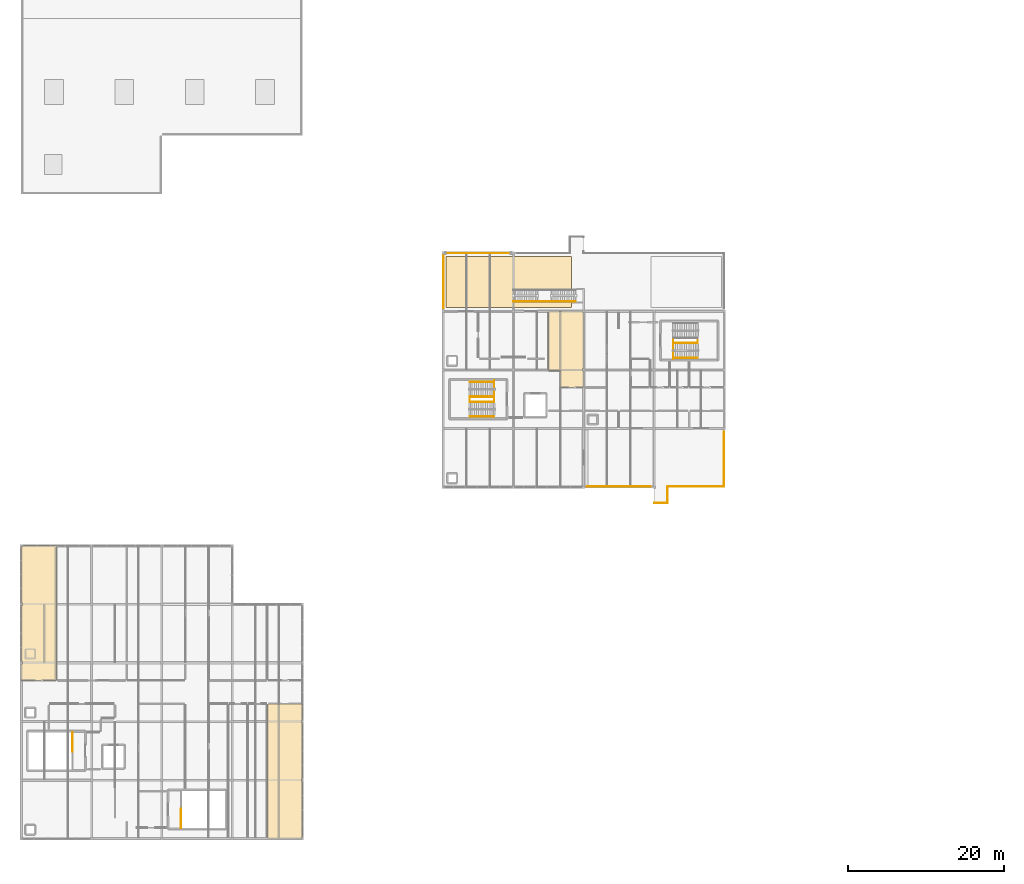
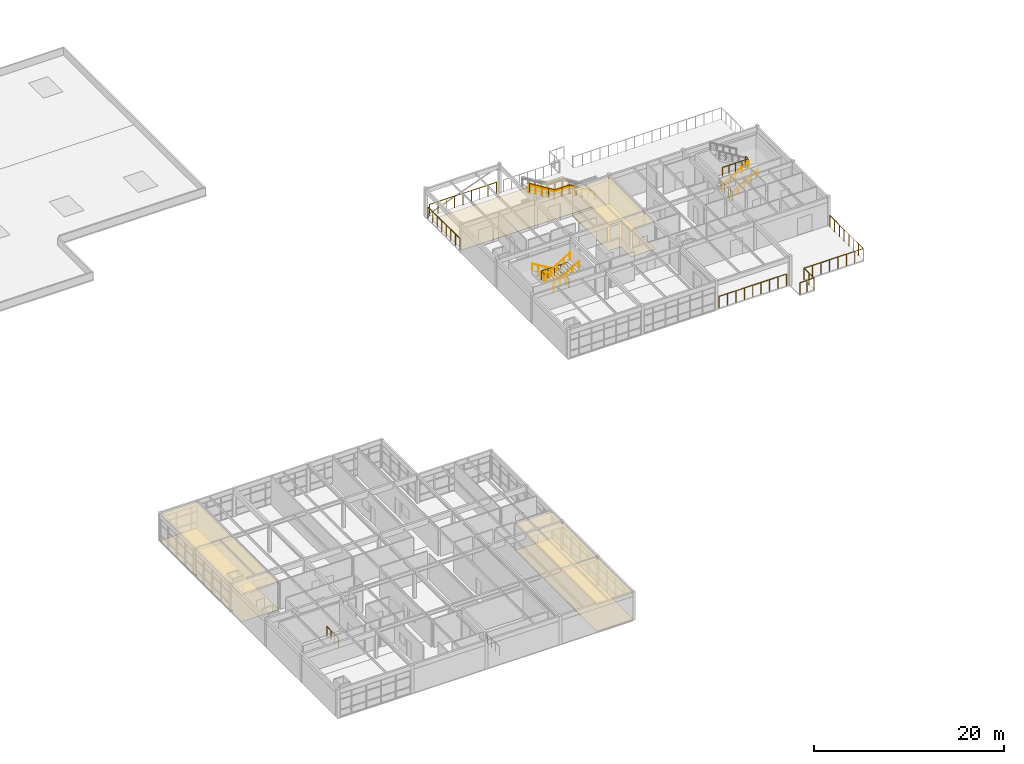
# One storey, part 23 of 24: 18 railings, 7 coverings.
"""IFC4 building model written with IfcOpenShell, lengths in metres."""

from ifc_helpers import new_model, si_unit, direction, frame, origin, origin_2d, place, context, subcontext, project, spatial, polyline, circle, outline, extrude, material, layer, layer_set, type_object, element, save


model = new_model("IFC4")

# Units and contexts
model_context = context("Model", 3, precision=1e-05, world=origin(), true_north=direction((0.0, 1.0)))
body_context = subcontext(model_context, "Body", "Model", "MODEL_VIEW")
ifc_project = project(units=[si_unit("LENGTHUNIT", "METRE"), si_unit("AREAUNIT", "SQUARE_METRE"), si_unit("VOLUMEUNIT", "CUBIC_METRE"), si_unit("PLANEANGLEUNIT", "RADIAN"), si_unit("MASSUNIT", "GRAM", prefix="KILO")], contexts=[model_context])

# Site, building, storey
site_placement = place(None, origin())
site = spatial("IfcSite", under=ifc_project, at=site_placement, CompositionType="ELEMENT")
building_placement = place(site_placement, origin())
building = spatial("IfcBuilding", under=site, at=building_placement, Name="Marnridge Secondary College", CompositionType="ELEMENT")
storey_placement = place(building_placement, frame((0.0, 0.0, 16.10009765625)))
storey = spatial("IfcBuildingStorey", under=building, at=storey_placement, Name="L04", CompositionType="ELEMENT", Elevation=16.10009765625)

# Coverings
ifc_material_1 = material(Name="Perforated acoustic mineral-fibre ceiling tile", Category="gypsum")
ifc_layer_1 = layer(ifc_material_1, 0.02490234375)
ifc_layer_set_1 = layer_set([ifc_layer_1], Name="CV-CEIL-AC")
covering_type_1 = type_object("IfcCoveringType", Name="CV-CEIL-AC", PredefinedType="CEILING", material=ifc_layer_set_1)
covering_1_placement = place(storey_placement, frame((0.0, 0.0, 3.31982421875)))
element("IfcCovering", 1, at=covering_1_placement, inside=storey, type_object=covering_type_1, Name="Acoustic ceiling CVC-006", PredefinedType="CEILING", context=body_context, shape_type="SweptSolid", body=[
    extrude(outline(polyline([(69.001953125, 59.89990234375), (69.001953125, 59.900146484375), (69.001953125, 59.900390625), (69.001953125, 59.900634765625), (69.001708984375, 59.90087890625), (69.001708984375, 59.90087890625), (69.001708984375, 59.901123046875), (69.00146484375, 59.9013671875), (69.00146484375, 59.9013671875), (69.001220703125, 59.901611328125), (69.001220703125, 59.901611328125), (69.0009765625, 59.90185546875), (69.000732421875, 59.90185546875), (69.00048828125, 59.90185546875), (69.00048828125, 59.902099609375), (69.000244140625, 59.902099609375), (69.0, 59.902099609375), (67.501953125, 59.902099609375), (67.501953125, 67.498046875), (71.842529296875, 67.498046875), (71.842529296875, 67.342529296875), (71.998046875, 67.342529296875), (71.998046875, 60.157470703125), (71.842529296875, 60.157470703125), (71.842529296875, 59.842529296875), (71.998046875, 59.842529296875), (71.998046875, 57.751953125), (69.001953125, 57.751953125), (69.001953125, 59.89990234375)])), origin(), (0.0, 0.0, 1.0), 0.025146484375),
])
covering_2_placement = place(storey_placement, frame((0.0, 0.0, 3.35986328125)))
element("IfcCovering", 2, at=covering_2_placement, inside=storey, type_object=covering_type_1, Name="Acoustic ceiling CVC-007", PredefinedType="CEILING", context=body_context, shape_type="SweptSolid", body=[
    extrude(outline(polyline([(35.998046875, 17.248046875), (35.998046875, 15.157470703125), (35.842529296875, 15.157470703125), (35.842529296875, 14.842529296875), (35.998046875, 14.842529296875), (35.998046875, 7.657470703125), (35.842529296875, 7.657470703125), (35.842529296875, 7.342529296875), (35.998046875, 7.342529296875), (35.998046875, 0.157470703125), (35.842529296875, 0.157470703125), (35.842529296875, 0.001953125), (31.501953125, 0.001953125), (31.501953125, 17.248046875), (35.998046875, 17.248046875)])), origin(), (0.0, 0.0, 1.0), 0.025146484375),
])
covering_3_placement = place(storey_placement, frame((0.0, 0.0, 3.35986328125)))
element("IfcCovering", 3, at=covering_3_placement, inside=storey, type_object=covering_type_1, Name="Acoustic ceiling CVC-008", PredefinedType="CEILING", context=body_context, shape_type="SweptSolid", body=[
    extrude(outline(polyline([(0.157470703125, 22.342529296875), (0.157470703125, 22.657470703125), (0.001953125, 22.657470703125), (0.001953125, 29.842529296875), (0.157470703125, 29.842529296875), (0.157470703125, 30.157470703125), (0.001953125, 30.157470703125), (0.001953125, 37.342529296875), (0.157470703125, 37.342529296875), (0.157470703125, 37.498046875), (4.498046875, 37.498046875), (4.498046875, 20.251953125), (0.001953125, 20.251953125), (0.001953125, 22.342529296875), (0.157470703125, 22.342529296875)])), origin(), (0.0, 0.0, 1.0), 0.025146484375),
])
ifc_material_2 = material(Name="Charred jarrah acoustic soffit cladding", Category="wood")
ifc_layer_2 = layer(ifc_material_2, 0.034912109375)
ifc_layer_set_2 = layer_set([ifc_layer_2], Name="CV-CLAD-TIM")
covering_type_2 = type_object("IfcCoveringType", Name="CV-CLAD-TIM", PredefinedType="CLADDING", material=ifc_layer_set_2)
covering_4_placement = place(storey_placement, frame((0.0, 0.0, -0.195068359375)))
element("IfcCovering", 4, at=covering_4_placement, inside=storey, type_object=covering_type_2, Name="Timber soffit cladding CVL-05", PredefinedType="CLADDING", context=body_context, shape_type="SweptSolid", body=[
    extrude(outline(polyline([(54.39990234375, 68.0), (70.39990234375, 68.0), (70.39990234375, 74.5), (54.39990234375, 74.5), (54.39990234375, 68.0)])), origin(), (0.0, 0.0, 1.0), 0.034912109375),
])
ifc_material_3 = material(Name="Acoustic natural linoleum classroom flooring", Category="wood")
ifc_layer_3 = layer(ifc_material_3, 0.011962890625)
ifc_layer_set_3 = layer_set([ifc_layer_3], Name="CV-FLR-LINO")
covering_type_3 = type_object("IfcCoveringType", Name="CV-FLR-LINO", PredefinedType="FLOORING", material=ifc_layer_set_3)
covering_5_placement = place(storey_placement, origin())
element("IfcCovering", 5, at=covering_5_placement, inside=storey, type_object=covering_type_3, Name="Linoleum flooring CVF-006", PredefinedType="FLOORING", context=body_context, shape_type="SweptSolid", body=[
    extrude(outline(polyline([(69.001953125, 59.89990234375), (69.001953125, 59.900146484375), (69.001953125, 59.900390625), (69.001953125, 59.900634765625), (69.001708984375, 59.90087890625), (69.001708984375, 59.90087890625), (69.001708984375, 59.901123046875), (69.00146484375, 59.9013671875), (69.00146484375, 59.9013671875), (69.001220703125, 59.901611328125), (69.001220703125, 59.901611328125), (69.0009765625, 59.90185546875), (69.000732421875, 59.90185546875), (69.00048828125, 59.90185546875), (69.00048828125, 59.902099609375), (69.000244140625, 59.902099609375), (69.0, 59.902099609375), (67.501953125, 59.902099609375), (67.501953125, 67.498046875), (71.842529296875, 67.498046875), (71.842529296875, 67.342529296875), (71.998046875, 67.342529296875), (71.998046875, 60.157470703125), (71.842529296875, 60.157470703125), (71.842529296875, 59.842529296875), (71.998046875, 59.842529296875), (71.998046875, 57.751953125), (69.001953125, 57.751953125), (69.001953125, 59.89990234375)])), origin(), (0.0, 0.0, 1.0), 0.011962890625),
])
covering_6_placement = place(storey_placement, origin())
element("IfcCovering", 6, at=covering_6_placement, inside=storey, type_object=covering_type_3, Name="Linoleum flooring CVF-007", PredefinedType="FLOORING", context=body_context, shape_type="SweptSolid", body=[
    extrude(outline(polyline([(35.998046875, 17.248046875), (35.998046875, 15.157470703125), (35.842529296875, 15.157470703125), (35.842529296875, 14.842529296875), (35.998046875, 14.842529296875), (35.998046875, 7.657470703125), (35.842529296875, 7.657470703125), (35.842529296875, 7.342529296875), (35.998046875, 7.342529296875), (35.998046875, 0.157470703125), (35.842529296875, 0.157470703125), (35.842529296875, 0.001953125), (31.501953125, 0.001953125), (31.501953125, 17.248046875), (35.998046875, 17.248046875)])), origin(), (0.0, 0.0, 1.0), 0.011962890625),
])
covering_7_placement = place(storey_placement, origin())
element("IfcCovering", 7, at=covering_7_placement, inside=storey, type_object=covering_type_3, Name="Linoleum flooring CVF-008", PredefinedType="FLOORING", context=body_context, shape_type="SweptSolid", body=[
    extrude(outline(polyline([(0.157470703125, 22.342529296875), (0.157470703125, 22.657470703125), (0.001953125, 22.657470703125), (0.001953125, 29.842529296875), (0.157470703125, 29.842529296875), (0.157470703125, 30.157470703125), (0.001953125, 30.157470703125), (0.001953125, 37.342529296875), (0.157470703125, 37.342529296875), (0.157470703125, 37.498046875), (4.498046875, 37.498046875), (4.498046875, 20.251953125), (0.001953125, 20.251953125), (0.001953125, 22.342529296875), (0.157470703125, 22.342529296875)])), origin(), (0.0, 0.0, 1.0), 0.011962890625),
])

# Railings
ifc_material_4 = material(Name="Galvanised steel Grade C350L0 (350 MPa) balustrade", Category="steel")
railing_type_1 = type_object("IfcRailingType", Name="RL-DECK-1500", PredefinedType="BALUSTRADE", material=ifc_material_4)
railing_1_placement = place(storey_placement, frame((54.06005859375, 67.915283203125, 0.0)))
element("IfcRailing", 8, at=railing_1_placement, inside=storey, type_object=railing_type_1, Name="Play deck balustrade GD-011", PredefinedType="BALUSTRADE", context=body_context, shape_type="SweptSolid", body=[
    extrude(circle(Radius=0.02392578125, at=origin_2d()), frame((0.0, 0.0, 1.47607421875), z_axis=(0.0, 1.0, 0.0), x_axis=(-1.0, 0.0, 0.0)), (0.0, 0.0, 1.0), 6.66943359375),
    extrude(circle(Radius=0.02099609375, at=origin_2d()), origin(), (0.0, 0.0, 1.0), 1.451904296875),
    extrude(circle(Radius=0.02099609375, at=origin_2d()), frame((0.0, 0.952880859375, 0.0)), (0.0, 0.0, 1.0), 1.451904296875),
    extrude(circle(Radius=0.02099609375, at=origin_2d()), frame((0.0, 1.905517578125, 0.0)), (0.0, 0.0, 1.0), 1.451904296875),
    extrude(circle(Radius=0.02099609375, at=origin_2d()), frame((0.0, 2.8583984375, 0.0)), (0.0, 0.0, 1.0), 1.451904296875),
    extrude(circle(Radius=0.02099609375, at=origin_2d()), frame((0.0, 3.81103515625, 0.0)), (0.0, 0.0, 1.0), 1.451904296875),
    extrude(circle(Radius=0.02099609375, at=origin_2d()), frame((0.0, 4.763916015625, 0.0)), (0.0, 0.0, 1.0), 1.451904296875),
    extrude(circle(Radius=0.02099609375, at=origin_2d()), frame((0.0, 5.716552734375, 0.0)), (0.0, 0.0, 1.0), 1.451904296875),
    extrude(circle(Radius=0.02099609375, at=origin_2d()), frame((0.0, 6.66943359375, 0.0)), (0.0, 0.0, 1.0), 1.451904296875),
])
railing_2_placement = place(storey_placement, frame((54.415283203125, 74.93994140625, 0.0)))
element("IfcRailing", 9, at=railing_2_placement, inside=storey, type_object=railing_type_1, Name="Play deck balustrade GD-012", PredefinedType="BALUSTRADE", context=body_context, shape_type="SweptSolid", body=[
    extrude(circle(Radius=0.02392578125, at=origin_2d()), frame((0.0, 0.0, 1.47607421875), z_axis=(1.0, 0.0, 0.0), x_axis=(0.0, 1.0, 0.0)), (0.0, 0.0, 1.0), 8.16943359375),
    extrude(circle(Radius=0.02099609375, at=origin_2d()), origin(), (0.0, 0.0, 1.0), 1.451904296875),
    extrude(circle(Radius=0.02099609375, at=origin_2d()), frame((1.021240234375, 0.0, 0.0)), (0.0, 0.0, 1.0), 1.451904296875),
    extrude(circle(Radius=0.02099609375, at=origin_2d()), frame((2.04248046875, 0.0, 0.0)), (0.0, 0.0, 1.0), 1.451904296875),
    extrude(circle(Radius=0.02099609375, at=origin_2d()), frame((3.0634765625, 0.0, 0.0)), (0.0, 0.0, 1.0), 1.451904296875),
    extrude(circle(Radius=0.02099609375, at=origin_2d()), frame((4.084716796875, 0.0, 0.0)), (0.0, 0.0, 1.0), 1.451904296875),
    extrude(circle(Radius=0.02099609375, at=origin_2d()), frame((5.10595703125, 0.0, 0.0)), (0.0, 0.0, 1.0), 1.451904296875),
    extrude(circle(Radius=0.02099609375, at=origin_2d()), frame((6.126953125, 0.0, 0.0)), (0.0, 0.0, 1.0), 1.451904296875),
    extrude(circle(Radius=0.02099609375, at=origin_2d()), frame((7.148193359375, 0.0, 0.0)), (0.0, 0.0, 1.0), 1.451904296875),
    extrude(circle(Radius=0.02099609375, at=origin_2d()), frame((8.16943359375, 0.0, 0.0)), (0.0, 0.0, 1.0), 1.451904296875),
])
railing_3_placement = place(storey_placement, frame((80.584716796875, 45.06005859375, 0.0)))
element("IfcRailing", 10, at=railing_3_placement, inside=storey, type_object=railing_type_1, Name="Play deck balustrade GD-015", PredefinedType="BALUSTRADE", context=body_context, shape_type="SweptSolid", body=[
    extrude(circle(Radius=0.02392578125, at=origin_2d()), frame((0.0, 0.0, 1.47607421875), z_axis=(-1.0, 0.0, 0.0), x_axis=(0.0, -1.0, 0.0)), (0.0, 0.0, 1.0), 8.16943359375),
    extrude(circle(Radius=0.02099609375, at=origin_2d()), origin(), (0.0, 0.0, 1.0), 1.451904296875),
    extrude(circle(Radius=0.02099609375, at=origin_2d()), frame((-1.021240234375, 0.0, 0.0)), (0.0, 0.0, 1.0), 1.451904296875),
    extrude(circle(Radius=0.02099609375, at=origin_2d()), frame((-2.04248046875, 0.0, 0.0)), (0.0, 0.0, 1.0), 1.451904296875),
    extrude(circle(Radius=0.02099609375, at=origin_2d()), frame((-3.0634765625, 0.0, 0.0)), (0.0, 0.0, 1.0), 1.451904296875),
    extrude(circle(Radius=0.02099609375, at=origin_2d()), frame((-4.084716796875, 0.0, 0.0)), (0.0, 0.0, 1.0), 1.451904296875),
    extrude(circle(Radius=0.02099609375, at=origin_2d()), frame((-5.10595703125, 0.0, 0.0)), (0.0, 0.0, 1.0), 1.451904296875),
    extrude(circle(Radius=0.02099609375, at=origin_2d()), frame((-6.126953125, 0.0, 0.0)), (0.0, 0.0, 1.0), 1.451904296875),
    extrude(circle(Radius=0.02099609375, at=origin_2d()), frame((-7.148193359375, 0.0, 0.0)), (0.0, 0.0, 1.0), 1.451904296875),
    extrude(circle(Radius=0.02099609375, at=origin_2d()), frame((-8.16943359375, 0.0, 0.0)), (0.0, 0.0, 1.0), 1.451904296875),
])
railing_4_placement = place(storey_placement, frame((89.93994140625, 52.084716796875, 0.0)))
element("IfcRailing", 11, at=railing_4_placement, inside=storey, type_object=railing_type_1, Name="Play deck balustrade GD-016", PredefinedType="BALUSTRADE", context=body_context, shape_type="SweptSolid", body=[
    extrude(circle(Radius=0.02392578125, at=origin_2d()), frame((0.0, 0.0, 1.47607421875), z_axis=(0.0, -1.0, 0.0), x_axis=(1.0, 0.0, 0.0)), (0.0, 0.0, 1.0), 7.024658203125),
    extrude(circle(Radius=0.02392578125, at=origin_2d()), frame((0.0, -7.024658203125, 1.47607421875), z_axis=(-1.0, 0.0, 0.0), x_axis=(0.0, -1.0, 0.0)), (0.0, 0.0, 1.0), 7.199951171875),
    extrude(circle(Radius=0.02392578125, at=origin_2d()), frame((-7.199951171875, -7.024658203125, 1.47607421875), z_axis=(0.0, -1.0, 0.0), x_axis=(1.0, 0.0, 0.0)), (0.0, 0.0, 1.0), 2.10009765625),
    extrude(circle(Radius=0.02392578125, at=origin_2d()), frame((-7.199951171875, -9.124755859375, 1.47607421875), z_axis=(-1.0, 0.0, 0.0), x_axis=(0.0, -1.0, 0.0)), (0.0, 0.0, 1.0), 1.719970703125),
    extrude(circle(Radius=0.02392578125, at=origin_2d()), frame((-8.919921875, -9.124755859375, 1.47607421875), z_axis=(0.0, 1.0, 0.0), x_axis=(-1.0, 0.0, 0.0)), (0.0, 0.0, 1.0), 0.02001953125),
    extrude(circle(Radius=0.02099609375, at=origin_2d()), origin(), (0.0, 0.0, 1.0), 1.451904296875),
    extrude(circle(Radius=0.02099609375, at=origin_2d()), frame((0.0, -1.00341796875, 0.0)), (0.0, 0.0, 1.0), 1.451904296875),
    extrude(circle(Radius=0.02099609375, at=origin_2d()), frame((0.0, -2.007080078125, 0.0)), (0.0, 0.0, 1.0), 1.451904296875),
    extrude(circle(Radius=0.02099609375, at=origin_2d()), frame((0.0, -3.010498046875, 0.0)), (0.0, 0.0, 1.0), 1.451904296875),
    extrude(circle(Radius=0.02099609375, at=origin_2d()), frame((0.0, -4.01416015625, 0.0)), (0.0, 0.0, 1.0), 1.451904296875),
    extrude(circle(Radius=0.02099609375, at=origin_2d()), frame((0.0, -5.017578125, 0.0)), (0.0, 0.0, 1.0), 1.451904296875),
    extrude(circle(Radius=0.02099609375, at=origin_2d()), frame((0.0, -6.021240234375, 0.0)), (0.0, 0.0, 1.0), 1.451904296875),
    extrude(circle(Radius=0.02099609375, at=origin_2d()), frame((0.0, -7.024658203125, 0.0)), (0.0, 0.0, 1.0), 1.451904296875),
    extrude(circle(Radius=0.02099609375, at=origin_2d()), frame((-1.028564453125, -7.024658203125, 0.0)), (0.0, 0.0, 1.0), 1.451904296875),
    extrude(circle(Radius=0.02099609375, at=origin_2d()), frame((-2.05712890625, -7.024658203125, 0.0)), (0.0, 0.0, 1.0), 1.451904296875),
    extrude(circle(Radius=0.02099609375, at=origin_2d()), frame((-3.085693359375, -7.024658203125, 0.0)), (0.0, 0.0, 1.0), 1.451904296875),
    extrude(circle(Radius=0.02099609375, at=origin_2d()), frame((-4.1142578125, -7.024658203125, 0.0)), (0.0, 0.0, 1.0), 1.451904296875),
    extrude(circle(Radius=0.02099609375, at=origin_2d()), frame((-5.142822265625, -7.024658203125, 0.0)), (0.0, 0.0, 1.0), 1.451904296875),
    extrude(circle(Radius=0.02099609375, at=origin_2d()), frame((-6.17138671875, -7.024658203125, 0.0)), (0.0, 0.0, 1.0), 1.451904296875),
    extrude(circle(Radius=0.02099609375, at=origin_2d()), frame((-7.199951171875, -7.024658203125, 0.0)), (0.0, 0.0, 1.0), 1.451904296875),
    extrude(circle(Radius=0.02099609375, at=origin_2d()), frame((-7.199951171875, -8.07470703125, 0.0)), (0.0, 0.0, 1.0), 1.451904296875),
    extrude(circle(Radius=0.02099609375, at=origin_2d()), frame((-7.199951171875, -9.124755859375, 0.0)), (0.0, 0.0, 1.0), 1.451904296875),
    extrude(circle(Radius=0.02099609375, at=origin_2d()), frame((-8.06005859375, -9.124755859375, 0.0)), (0.0, 0.0, 1.0), 1.451904296875),
    extrude(circle(Radius=0.02099609375, at=origin_2d()), frame((-8.919921875, -9.124755859375, 0.0)), (0.0, 0.0, 1.0), 1.451904296875),
    extrude(circle(Radius=0.02099609375, at=origin_2d()), frame((-8.919921875, -9.104736328125, 0.0)), (0.0, 0.0, 1.0), 1.451904296875),
])
ifc_material_5 = material(Name="Stainless steel Grade 350 (350 MPa) 48 mm handrail", Category="steel")
railing_type_2 = type_object("IfcRailingType", Name="RL-HND-900", PredefinedType="HANDRAIL", material=ifc_material_5)
for number, where, name in (
    (12, (60.550048828125, 56.590087890625, 0.0), "Stair handrail HR-025"),
    (13, (60.550048828125, 58.469970703125, 0.0), "Stair handrail HR-026"),
):
    element("IfcRailing", number, at=place(storey_placement, frame(where)), inside=storey, type_object=railing_type_2, Name=name, PredefinedType="HANDRAIL", context=body_context, shape_type="SweptSolid", body=[
        extrude(circle(Radius=0.02392578125, at=origin_2d()), frame((0.0, 0.0, 0.8759765625), z_axis=(-0.855210355142, 0.0, 0.518281051609), x_axis=(0.0, -1.0, 0.0)), (0.0, 0.0, 1.0), 3.665771484375),
        extrude(circle(Radius=0.02099609375, at=origin_2d()), origin(), (0.0, 0.0, 1.0), 0.851806640625),
        extrude(circle(Radius=0.02099609375, at=origin_2d()), frame((-0.78369140625, 0.0, 0.47509765625)), (0.0, 0.0, 1.0), 0.851806640625),
        extrude(circle(Radius=0.02099609375, at=origin_2d()), frame((-1.5673828125, 0.0, 0.949951171875)), (0.0, 0.0, 1.0), 0.851806640625),
        extrude(circle(Radius=0.02099609375, at=origin_2d()), frame((-2.351318359375, 0.0, 1.4248046875)), (0.0, 0.0, 1.0), 0.851806640625),
        extrude(circle(Radius=0.02099609375, at=origin_2d()), frame((-3.135009765625, 0.0, 1.89990234375)), (0.0, 0.0, 1.0), 0.851806640625),
    ])
for number, where, name in (
    (14, (57.4150390625, 54.030029296875, 1.89990234375), "Stair handrail HR-027"),
    (15, (57.4150390625, 55.909912109375, 1.89990234375), "Stair handrail HR-028"),
    (16, (83.449951171875, 61.530029296875, 0.0), "Stair handrail HR-055"),
    (17, (83.449951171875, 63.409912109375, 0.0), "Stair handrail HR-056"),
):
    element("IfcRailing", number, at=place(storey_placement, frame(where)), inside=storey, type_object=railing_type_2, Name=name, PredefinedType="HANDRAIL", context=body_context, shape_type="SweptSolid", body=[
        extrude(circle(Radius=0.02392578125, at=origin_2d()), frame((0.0, 0.0, 0.8759765625), z_axis=(0.855210355142, 0.0, 0.518281051609), x_axis=(0.0, 1.0, 0.0)), (0.0, 0.0, 1.0), 3.665771484375),
        extrude(circle(Radius=0.02099609375, at=origin_2d()), origin(), (0.0, 0.0, 1.0), 0.851806640625),
        extrude(circle(Radius=0.02099609375, at=origin_2d()), frame((0.78369140625, 0.0, 0.47509765625)), (0.0, 0.0, 1.0), 0.851806640625),
        extrude(circle(Radius=0.02099609375, at=origin_2d()), frame((1.5673828125, 0.0, 0.949951171875)), (0.0, 0.0, 1.0), 0.851806640625),
        extrude(circle(Radius=0.02099609375, at=origin_2d()), frame((2.351318359375, 0.0, 1.4248046875)), (0.0, 0.0, 1.0), 0.851806640625),
        extrude(circle(Radius=0.02099609375, at=origin_2d()), frame((3.135009765625, 0.0, 1.89990234375)), (0.0, 0.0, 1.0), 0.851806640625),
    ])
ifc_material_6 = material(Name="Galvanised steel Grade 350 (350 MPa) 48 mm handrail", Category="steel")
railing_type_3 = type_object("IfcRailingType", Name="RL-HND-EXT900", PredefinedType="HANDRAIL", material=ifc_material_6)
railing_5_placement = place(storey_placement, frame((70.9599609375, 68.7900390625, 0.0)))
element("IfcRailing", 18, at=railing_5_placement, inside=storey, type_object=railing_type_3, Name="Exterior stair handrail HR-195", PredefinedType="HANDRAIL", context=body_context, shape_type="SweptSolid", body=[
    extrude(circle(Radius=0.02392578125, at=origin_2d()), frame((0.0, 0.0, 0.8759765625), z_axis=(-0.851106564228, 0.0, 0.524992967884), x_axis=(0.0, -1.0, 0.0)), (0.0, 0.0, 1.0), 3.618896484375),
    extrude(circle(Radius=0.02392578125, at=origin_2d()), frame((-3.080078125, 0.0, 2.77587890625), z_axis=(-1.0, 0.0, 0.0), x_axis=(0.0, -1.0, 0.0)), (0.0, 0.0, 1.0), 1.7998046875),
    extrude(circle(Radius=0.02392578125, at=origin_2d()), frame((-4.8798828125, 0.0, 2.77587890625), z_axis=(-0.851106564228, 0.0, 0.524992967884), x_axis=(0.0, -1.0, 0.0)), (0.0, 0.0, 1.0), 3.618896484375),
    extrude(circle(Radius=0.02099609375, at=origin_2d()), origin(), (0.0, 0.0, 1.0), 0.851806640625),
    extrude(circle(Radius=0.02099609375, at=origin_2d()), frame((-0.77001953125, 0.0, 0.47509765625)), (0.0, 0.0, 1.0), 0.851806640625),
    extrude(circle(Radius=0.02099609375, at=origin_2d()), frame((-1.5400390625, 0.0, 0.949951171875)), (0.0, 0.0, 1.0), 0.851806640625),
    extrude(circle(Radius=0.02099609375, at=origin_2d()), frame((-2.31005859375, 0.0, 1.4248046875)), (0.0, 0.0, 1.0), 0.851806640625),
    extrude(circle(Radius=0.02099609375, at=origin_2d()), frame((-3.080078125, 0.0, 1.89990234375)), (0.0, 0.0, 1.0), 0.851806640625),
    extrude(circle(Radius=0.02099609375, at=origin_2d()), frame((-3.97998046875, 0.0, 1.89990234375)), (0.0, 0.0, 1.0), 0.851806640625),
    extrude(circle(Radius=0.02099609375, at=origin_2d()), frame((-4.8798828125, 0.0, 1.89990234375)), (0.0, 0.0, 1.0), 0.851806640625),
    extrude(circle(Radius=0.02099609375, at=origin_2d()), frame((-5.64990234375, 0.0, 2.375)), (0.0, 0.0, 1.0), 0.851806640625),
    extrude(circle(Radius=0.02099609375, at=origin_2d()), frame((-6.419921875, 0.0, 2.849853515625)), (0.0, 0.0, 1.0), 0.851806640625),
    extrude(circle(Radius=0.02099609375, at=origin_2d()), frame((-7.18994140625, 0.0, 3.32470703125)), (0.0, 0.0, 1.0), 0.851806640625),
    extrude(circle(Radius=0.02099609375, at=origin_2d()), frame((-7.9599609375, 0.0, 3.7998046875)), (0.0, 0.0, 1.0), 0.851806640625),
])
ifc_material_7 = material(Name="Painted steel Grade C350L0 (350 MPa) stair-well guard", Category="steel")
railing_type_4 = type_object("IfcRailingType", Name="RL-STAIR-1150", PredefinedType="BALUSTRADE", material=ifc_material_7)
railing_6_placement = place(storey_placement, frame((60.550048828125, 58.6298828125, 0.0)))
element("IfcRailing", 19, at=railing_6_placement, inside=storey, type_object=railing_type_4, Name="Stair well arrival guard GS-024", PredefinedType="BALUSTRADE", context=body_context, shape_type="SweptSolid", body=[
    extrude(circle(Radius=0.02392578125, at=origin_2d()), frame((0.0, 0.0, 1.1259765625), z_axis=(0.0, -1.0, 0.0), x_axis=(1.0, 0.0, 0.0)), (0.0, 0.0, 1.0), 2.4599609375),
    extrude(circle(Radius=0.02099609375, at=origin_2d()), origin(), (0.0, 0.0, 1.0), 1.101806640625),
    extrude(circle(Radius=0.02099609375, at=origin_2d()), frame((0.0, -0.820068359375, 0.0)), (0.0, 0.0, 1.0), 1.101806640625),
    extrude(circle(Radius=0.02099609375, at=origin_2d()), frame((0.0, -1.639892578125, 0.0)), (0.0, 0.0, 1.0), 1.101806640625),
    extrude(circle(Radius=0.02099609375, at=origin_2d()), frame((0.0, -2.4599609375, 0.0)), (0.0, 0.0, 1.0), 1.101806640625),
])
railing_7_placement = place(storey_placement, frame((60.550048828125, 56.530029296875, 1.89990234375)))
element("IfcRailing", 20, at=railing_7_placement, inside=storey, type_object=railing_type_4, Name="Stair well slot guard GS-029", PredefinedType="BALUSTRADE", context=body_context, shape_type="SweptSolid", body=[
    extrude(circle(Radius=0.02392578125, at=origin_2d()), frame((0.0, 0.0, 1.1259765625), z_axis=(-1.0, 0.0, 0.0), x_axis=(0.0, -1.0, 0.0)), (0.0, 0.0, 1.0), 3.135009765625),
    extrude(circle(Radius=0.02392578125, at=origin_2d()), frame((-3.135009765625, 0.0, 1.1259765625), z_axis=(0.0, -1.0, 0.0), x_axis=(1.0, 0.0, 0.0)), (0.0, 0.0, 1.0), 0.56005859375),
    extrude(circle(Radius=0.02099609375, at=origin_2d()), origin(), (0.0, 0.0, 1.0), 1.101806640625),
    extrude(circle(Radius=0.02099609375, at=origin_2d()), frame((-0.78369140625, 0.0, 0.0)), (0.0, 0.0, 1.0), 1.101806640625),
    extrude(circle(Radius=0.02099609375, at=origin_2d()), frame((-1.5673828125, 0.0, 0.0)), (0.0, 0.0, 1.0), 1.101806640625),
    extrude(circle(Radius=0.02099609375, at=origin_2d()), frame((-2.351318359375, 0.0, 0.0)), (0.0, 0.0, 1.0), 1.101806640625),
    extrude(circle(Radius=0.02099609375, at=origin_2d()), frame((-3.135009765625, 0.0, 0.0)), (0.0, 0.0, 1.0), 1.101806640625),
    extrude(circle(Radius=0.02099609375, at=origin_2d()), frame((-3.135009765625, -0.56005859375, 0.0)), (0.0, 0.0, 1.0), 1.101806640625),
])
railing_8_placement = place(storey_placement, frame((83.449951171875, 61.3701171875, 0.0)))
element("IfcRailing", 21, at=railing_8_placement, inside=storey, type_object=railing_type_4, Name="Stair well arrival guard GS-054", PredefinedType="BALUSTRADE", context=body_context, shape_type="SweptSolid", body=[
    extrude(circle(Radius=0.02392578125, at=origin_2d()), frame((0.0, 0.0, 1.1259765625), z_axis=(0.0, 1.0, 0.0), x_axis=(-1.0, 0.0, 0.0)), (0.0, 0.0, 1.0), 2.4599609375),
    extrude(circle(Radius=0.02099609375, at=origin_2d()), origin(), (0.0, 0.0, 1.0), 1.101806640625),
    extrude(circle(Radius=0.02099609375, at=origin_2d()), frame((0.0, 0.820068359375, 0.0)), (0.0, 0.0, 1.0), 1.101806640625),
    extrude(circle(Radius=0.02099609375, at=origin_2d()), frame((0.0, 1.639892578125, 0.0)), (0.0, 0.0, 1.0), 1.101806640625),
    extrude(circle(Radius=0.02099609375, at=origin_2d()), frame((0.0, 2.4599609375, 0.0)), (0.0, 0.0, 1.0), 1.101806640625),
])
railing_9_placement = place(storey_placement, frame((83.449951171875, 63.469970703125, 1.89990234375)))
element("IfcRailing", 22, at=railing_9_placement, inside=storey, type_object=railing_type_4, Name="Stair well slot guard GS-059", PredefinedType="BALUSTRADE", context=body_context, shape_type="SweptSolid", body=[
    extrude(circle(Radius=0.02392578125, at=origin_2d()), frame((0.0, 0.0, 1.1259765625), z_axis=(1.0, 0.0, 0.0), x_axis=(0.0, 1.0, 0.0)), (0.0, 0.0, 1.0), 3.135009765625),
    extrude(circle(Radius=0.02392578125, at=origin_2d()), frame((3.135009765625, 0.0, 1.1259765625), z_axis=(0.0, 1.0, 0.0), x_axis=(-1.0, 0.0, 0.0)), (0.0, 0.0, 1.0), 0.56005859375),
    extrude(circle(Radius=0.02099609375, at=origin_2d()), origin(), (0.0, 0.0, 1.0), 1.101806640625),
    extrude(circle(Radius=0.02099609375, at=origin_2d()), frame((0.78369140625, 0.0, 0.0)), (0.0, 0.0, 1.0), 1.101806640625),
    extrude(circle(Radius=0.02099609375, at=origin_2d()), frame((1.5673828125, 0.0, 0.0)), (0.0, 0.0, 1.0), 1.101806640625),
    extrude(circle(Radius=0.02099609375, at=origin_2d()), frame((2.351318359375, 0.0, 0.0)), (0.0, 0.0, 1.0), 1.101806640625),
    extrude(circle(Radius=0.02099609375, at=origin_2d()), frame((3.135009765625, 0.0, 0.0)), (0.0, 0.0, 1.0), 1.101806640625),
    extrude(circle(Radius=0.02099609375, at=origin_2d()), frame((3.135009765625, 0.56005859375, 0.0)), (0.0, 0.0, 1.0), 1.101806640625),
])
railing_10_placement = place(storey_placement, frame((6.550048828125, 13.6298828125, 0.0)))
element("IfcRailing", 23, at=railing_10_placement, inside=storey, type_object=railing_type_4, Name="Stair well arrival guard GS-084", PredefinedType="BALUSTRADE", context=body_context, shape_type="SweptSolid", body=[
    extrude(circle(Radius=0.02392578125, at=origin_2d()), frame((0.0, 0.0, 1.1259765625), z_axis=(0.0, -1.0, 0.0), x_axis=(1.0, 0.0, 0.0)), (0.0, 0.0, 1.0), 2.4599609375),
    extrude(circle(Radius=0.02099609375, at=origin_2d()), origin(), (0.0, 0.0, 1.0), 1.101806640625),
    extrude(circle(Radius=0.02099609375, at=origin_2d()), frame((0.0, -0.820068359375, 0.0)), (0.0, 0.0, 1.0), 1.101806640625),
    extrude(circle(Radius=0.02099609375, at=origin_2d()), frame((0.0, -1.639892578125, 0.0)), (0.0, 0.0, 1.0), 1.101806640625),
    extrude(circle(Radius=0.02099609375, at=origin_2d()), frame((0.0, -2.4599609375, 0.0)), (0.0, 0.0, 1.0), 1.101806640625),
])
railing_11_placement = place(storey_placement, frame((20.449951171875, 1.3701171875, 0.0)))
element("IfcRailing", 24, at=railing_11_placement, inside=storey, type_object=railing_type_4, Name="Stair well arrival guard GS-108", PredefinedType="BALUSTRADE", context=body_context, shape_type="SweptSolid", body=[
    extrude(circle(Radius=0.02392578125, at=origin_2d()), frame((0.0, 0.0, 1.1259765625), z_axis=(0.0, 1.0, 0.0), x_axis=(-1.0, 0.0, 0.0)), (0.0, 0.0, 1.0), 2.4599609375),
    extrude(circle(Radius=0.02099609375, at=origin_2d()), origin(), (0.0, 0.0, 1.0), 1.101806640625),
    extrude(circle(Radius=0.02099609375, at=origin_2d()), frame((0.0, 0.820068359375, 0.0)), (0.0, 0.0, 1.0), 1.101806640625),
    extrude(circle(Radius=0.02099609375, at=origin_2d()), frame((0.0, 1.639892578125, 0.0)), (0.0, 0.0, 1.0), 1.101806640625),
    extrude(circle(Radius=0.02099609375, at=origin_2d()), frame((0.0, 2.4599609375, 0.0)), (0.0, 0.0, 1.0), 1.101806640625),
])
ifc_material_8 = material(Name="Galvanised steel Grade C350L0 (350 MPa) exterior stair balustrade", Category="steel")
railing_type_5 = type_object("IfcRailingType", Name="RL-STAIR-EXT1150", PredefinedType="BALUSTRADE", material=ifc_material_8)
railing_12_placement = place(storey_placement, frame((70.9599609375, 68.739990234375, 0.0)))
element("IfcRailing", 25, at=railing_12_placement, inside=storey, type_object=railing_type_5, Name="Exterior stair guard GS-193", PredefinedType="BALUSTRADE", context=body_context, shape_type="SweptSolid", body=[
    extrude(circle(Radius=0.02392578125, at=origin_2d()), frame((0.0, 0.0, 1.1259765625), z_axis=(-0.851106564228, 0.0, 0.524992967884), x_axis=(0.0, -1.0, 0.0)), (0.0, 0.0, 1.0), 3.618896484375),
    extrude(circle(Radius=0.02392578125, at=origin_2d()), frame((-3.080078125, 0.0, 3.02587890625), z_axis=(-1.0, 0.0, 0.0), x_axis=(0.0, -1.0, 0.0)), (0.0, 0.0, 1.0), 1.7998046875),
    extrude(circle(Radius=0.02392578125, at=origin_2d()), frame((-4.8798828125, 0.0, 3.02587890625), z_axis=(-0.851106564228, 0.0, 0.524992967884), x_axis=(0.0, -1.0, 0.0)), (0.0, 0.0, 1.0), 3.618896484375),
    extrude(circle(Radius=0.02099609375, at=origin_2d()), origin(), (0.0, 0.0, 1.0), 1.101806640625),
    extrude(circle(Radius=0.02099609375, at=origin_2d()), frame((-0.77001953125, 0.0, 0.47509765625)), (0.0, 0.0, 1.0), 1.101806640625),
    extrude(circle(Radius=0.02099609375, at=origin_2d()), frame((-1.5400390625, 0.0, 0.949951171875)), (0.0, 0.0, 1.0), 1.101806640625),
    extrude(circle(Radius=0.02099609375, at=origin_2d()), frame((-2.31005859375, 0.0, 1.4248046875)), (0.0, 0.0, 1.0), 1.101806640625),
    extrude(circle(Radius=0.02099609375, at=origin_2d()), frame((-3.080078125, 0.0, 1.89990234375)), (0.0, 0.0, 1.0), 1.101806640625),
    extrude(circle(Radius=0.02099609375, at=origin_2d()), frame((-3.97998046875, 0.0, 1.89990234375)), (0.0, 0.0, 1.0), 1.101806640625),
    extrude(circle(Radius=0.02099609375, at=origin_2d()), frame((-4.8798828125, 0.0, 1.89990234375)), (0.0, 0.0, 1.0), 1.101806640625),
    extrude(circle(Radius=0.02099609375, at=origin_2d()), frame((-5.64990234375, 0.0, 2.375)), (0.0, 0.0, 1.0), 1.101806640625),
    extrude(circle(Radius=0.02099609375, at=origin_2d()), frame((-6.419921875, 0.0, 2.849853515625)), (0.0, 0.0, 1.0), 1.101806640625),
    extrude(circle(Radius=0.02099609375, at=origin_2d()), frame((-7.18994140625, 0.0, 3.32470703125)), (0.0, 0.0, 1.0), 1.101806640625),
    extrude(circle(Radius=0.02099609375, at=origin_2d()), frame((-7.9599609375, 0.0, 3.7998046875)), (0.0, 0.0, 1.0), 1.101806640625),
])

save(model, "model.ifc")
